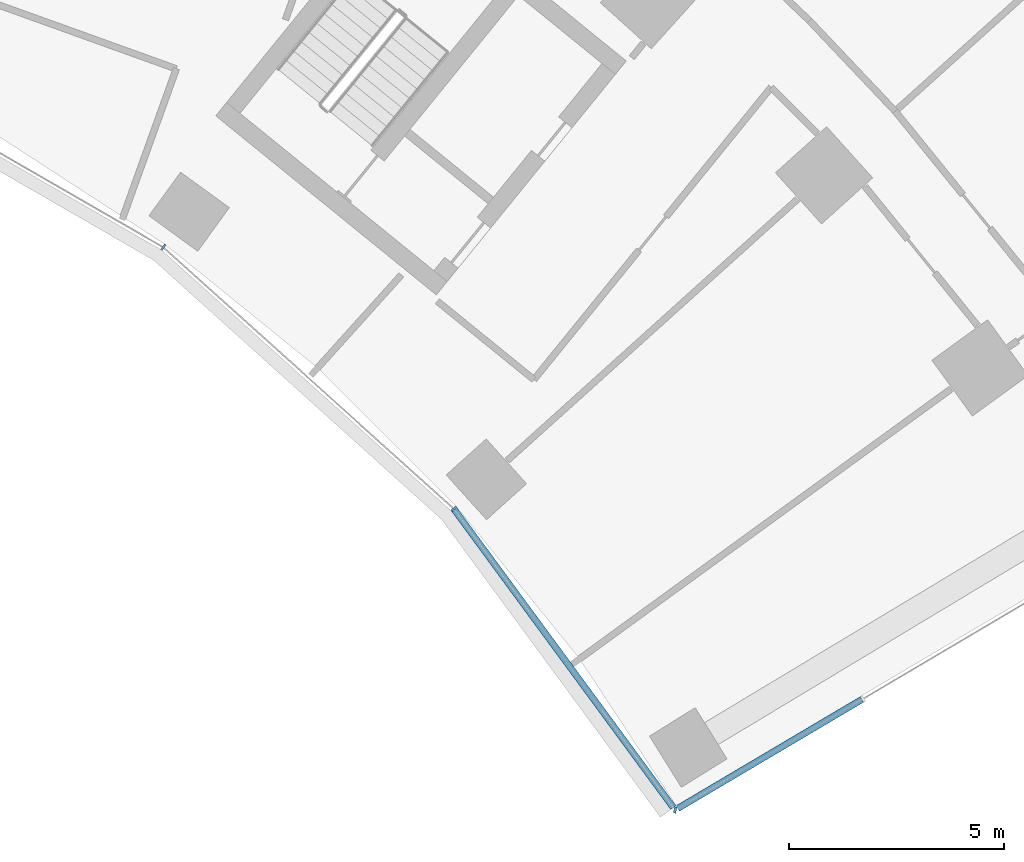
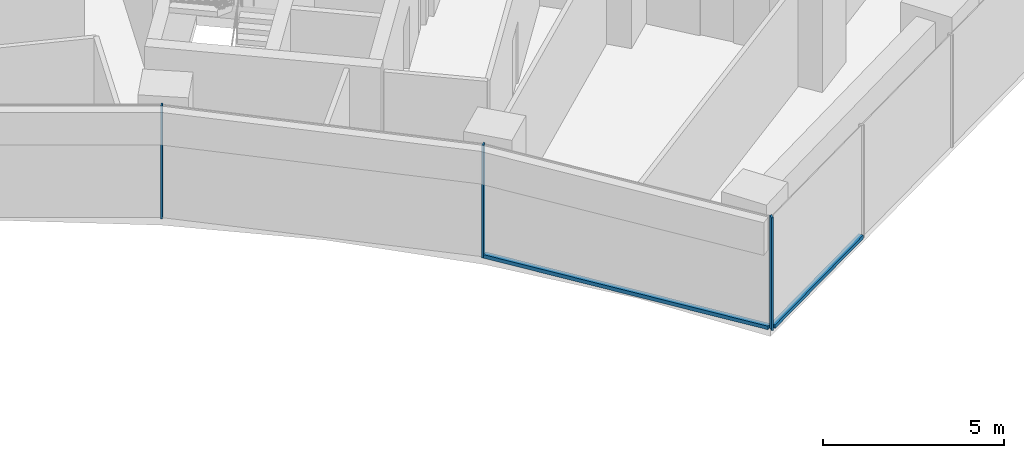
# One storey, part 8 of 21: 5 members, 2 elements without a shape of their own.
"""IFC4 building model written with IfcOpenShell, lengths in metres."""

from ifc_helpers import new_model, si_unit, direction, frame, origin, origin_2d, place, context, subcontext, project, spatial, rectangle, extrude, material, layer, layer_set, material_profile, profile_set, type_object, element, aggregate, save


model = new_model("IFC4")

# Units and contexts
model_context = context("Model", 3, precision=1e-05, world=origin(), true_north=direction((0.0, 1.0)))
body_context = subcontext(model_context, "Body", "Model", "MODEL_VIEW")
ifc_project = project(units=[si_unit("LENGTHUNIT", "METRE"), si_unit("AREAUNIT", "SQUARE_METRE"), si_unit("VOLUMEUNIT", "CUBIC_METRE"), si_unit("PLANEANGLEUNIT", "RADIAN"), si_unit("MASSUNIT", "GRAM", prefix="KILO")], contexts=[model_context])

# Site, building, storey
site_placement = place(None, origin())
site = spatial("IfcSite", under=ifc_project, at=site_placement, CompositionType="ELEMENT")
building_placement = place(site_placement, origin())
building = spatial("IfcBuilding", under=site, at=building_placement, Name="Stone Belt Terrace Tower", CompositionType="ELEMENT")
storey_placement = place(building_placement, frame((0.0, 0.0, 37.60009765625)))
storey = spatial("IfcBuildingStorey", under=building, at=storey_placement, Name="L08", CompositionType="ELEMENT", Elevation=37.60009765625)

# Curtain wall, members
ifc_material = material(Name="Aluminium 6063-T6 anodised frame", Category="aluminium")
ifc_layer_1 = layer(ifc_material, 0.14990234375)
ifc_layer_set_1 = layer_set([ifc_layer_1], Name="CW-B unitised concave-face curtain wall")
curtain_wall_type_1 = type_object("IfcCurtainWallType", Name="CW-B unitised concave-face curtain wall", PredefinedType="NOTDEFINED", material=ifc_layer_set_1)
curtain_wall_1_placement = place(storey_placement, origin())
curtain_wall_1 = element("IfcCurtainWall", 1, at=curtain_wall_1_placement, inside=storey, type_object=curtain_wall_type_1, Name="CW-B concave face L08", PredefinedType="NOTDEFINED")
ifc_material_profile_1 = material_profile(ifc_material, rectangle(XDim=0.14990234375, YDim=0.050048828125, at=origin_2d()), Name="Aluminium 6063-T6 50x150")
ifc_profile_set_1 = profile_set([ifc_material_profile_1], Name="Aluminium 6063-T6 anodised frame")
member_type_1 = type_object("IfcMemberType", Name="CW-B mullion 50 x 150", PredefinedType="MULLION", material=ifc_profile_set_1)
member_1_placement = place(storey_placement, frame((25.5244140625, 35.13134765625, 0.0), z_axis=(0.0, 0.0, 1.0), x_axis=(0.587785252292, 0.809016994375, 0.0)))
member_1 = element("IfcMember", 2, at=member_1_placement, type_object=member_type_1, Name="CW-B mullion 9", PredefinedType="MULLION", context=body_context, shape_type="SweptSolid", body=[
    extrude(rectangle(XDim=0.14990234375, YDim=0.050048828125, at=origin_2d()), origin(), (0.0, 0.0, 1.0), 3.7998046875),
])
member_2_placement = place(storey_placement, frame((32.27099609375, 29.056640625, 0.0), z_axis=(0.0, 0.0, 1.0), x_axis=(0.741329775891, 0.671140941515, 0.0)))
member_2 = element("IfcMember", 3, at=member_2_placement, type_object=member_type_1, Name="CW-B mullion 10", PredefinedType="MULLION", context=body_context, shape_type="SweptSolid", body=[
    extrude(rectangle(XDim=0.14990234375, YDim=0.050048828125, at=origin_2d()), origin(), (0.0, 0.0, 1.0), 3.7998046875),
])
ifc_material_profile_2 = material_profile(ifc_material, rectangle(XDim=0.14990234375, YDim=0.1201171875, at=origin_2d()), Name="Aluminium 6063-T6 150x120")
ifc_profile_set_2 = profile_set([ifc_material_profile_2], Name="Aluminium 6063-T6 anodised frame")
member_type_2 = type_object("IfcMemberType", Name="CW-B transom 120 x 150", PredefinedType="USERDEFINED", material=ifc_profile_set_2)
member_3_placement = place(storey_placement, frame((32.2900390625, 29.0302734375, 0.059814453125), z_axis=(0.592180847905, -0.805805090189, 0.0), x_axis=(0.805805090189, 0.592180847905, 0.0)))
member_3 = element("IfcMember", 4, at=member_3_placement, type_object=member_type_2, Name="CW-B transom 10.1", ObjectType="TRANSOM", PredefinedType="USERDEFINED", context=body_context, shape_type="SweptSolid", body=[
    extrude(rectangle(XDim=0.14990234375, YDim=0.1201171875, at=origin_2d()), origin(), (0.0, 0.0, 1.0), 8.583984375),
])
aggregate(curtain_wall_1, [member_1, member_2, member_3])

ifc_layer_2 = layer(ifc_material, 0.14990234375)
ifc_layer_set_2 = layer_set([ifc_layer_2], Name="CW-C stick curtain wall, horn ends and notches")
curtain_wall_type_2 = type_object("IfcCurtainWallType", Name="CW-C stick curtain wall, horn ends and notches", PredefinedType="NOTDEFINED", material=ifc_layer_set_2)
curtain_wall_2_placement = place(storey_placement, origin())
curtain_wall_2 = element("IfcCurtainWall", 5, at=curtain_wall_2_placement, inside=storey, type_object=curtain_wall_type_2, Name="CW-C end face L08", PredefinedType="NOTDEFINED")
ifc_material_profile_3 = material_profile(ifc_material, rectangle(XDim=0.14990234375, YDim=0.06005859375, at=origin_2d()), Name="Aluminium 6063-T6 60x150")
ifc_profile_set_3 = profile_set([ifc_material_profile_3], Name="Aluminium 6063-T6 anodised frame")
member_type_3 = type_object("IfcMemberType", Name="CW-C mullion 60 x 150", PredefinedType="MULLION", material=ifc_profile_set_3)
member_4_placement = place(storey_placement, frame((37.4140625, 22.0576171875, 0.0), z_axis=(0.0, 0.0, 1.0), x_axis=(0.199957039009, 0.979804665508, 0.0)))
member_4 = element("IfcMember", 6, at=member_4_placement, type_object=member_type_3, Name="CW-C mullion 1", PredefinedType="MULLION", context=body_context, shape_type="SweptSolid", body=[
    extrude(rectangle(XDim=0.14990234375, YDim=0.06005859375, at=origin_2d()), origin(), (0.0, 0.0, 1.0), 3.7998046875),
])
ifc_material_profile_4 = material_profile(ifc_material, rectangle(XDim=0.14990234375, YDim=0.1201171875, at=origin_2d()), Name="Aluminium 6063-T6 150x120")
ifc_profile_set_4 = profile_set([ifc_material_profile_4], Name="Aluminium 6063-T6 anodised frame")
member_type_4 = type_object("IfcMemberType", Name="CW-C transom 120 x 150", PredefinedType="USERDEFINED", material=ifc_profile_set_4)
member_5_placement = place(storey_placement, frame((37.4765625, 22.0947265625, 0.059814453125), z_axis=(0.860562168261, 0.509345417725, 0.0), x_axis=(-0.509345417725, 0.860562168261, 0.0)))
member_5 = element("IfcMember", 7, at=member_5_placement, type_object=member_type_4, Name="CW-C transom 1.1", ObjectType="TRANSOM", PredefinedType="USERDEFINED", context=body_context, shape_type="SweptSolid", body=[
    extrude(rectangle(XDim=0.14990234375, YDim=0.1201171875, at=origin_2d()), origin(), (0.0, 0.0, 1.0), 4.96533203125),
])
aggregate(curtain_wall_2, [member_4, member_5])

save(model, "model.ifc")
